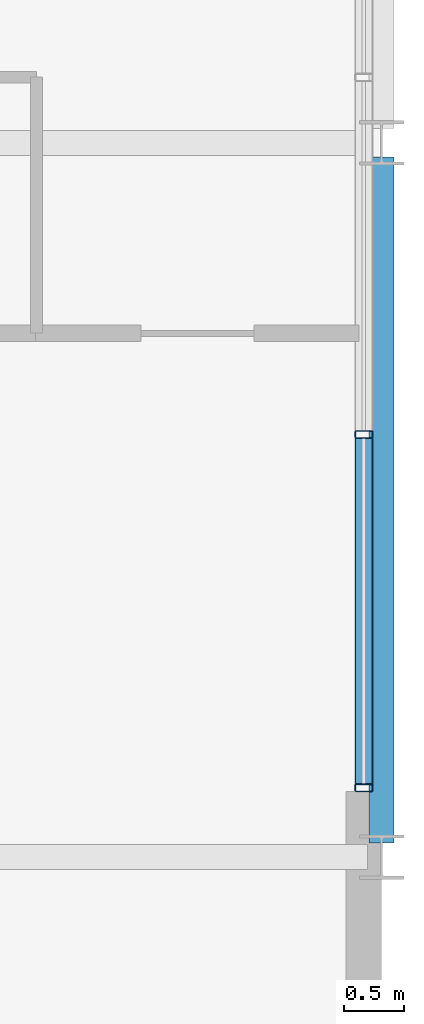
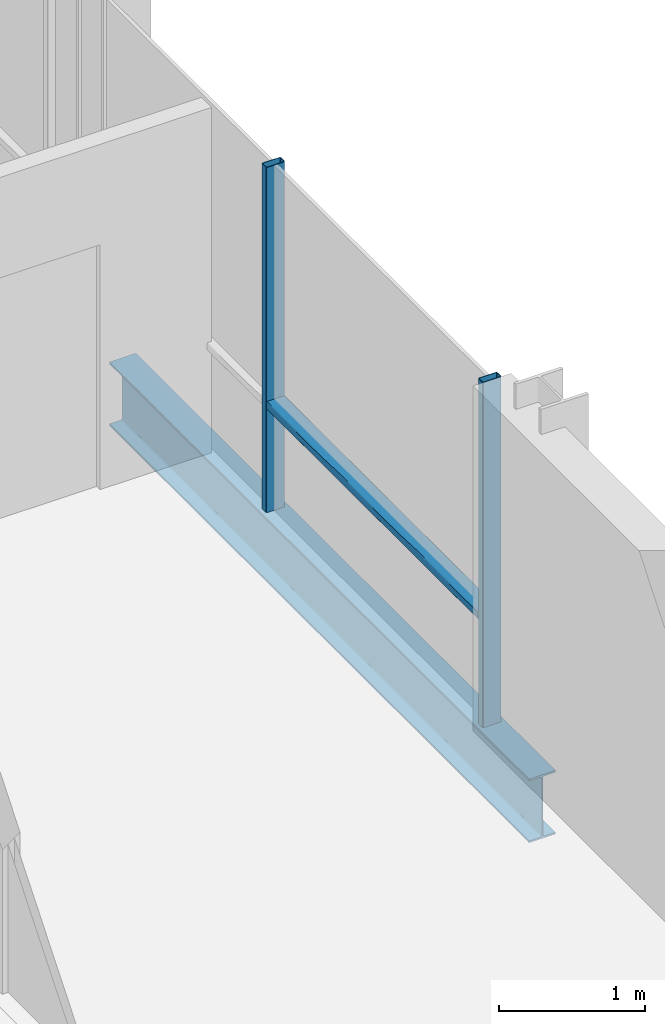
# One storey, part 11 of 29: 3 members, 1 beam, 1 element without a shape of its own.
"""IFC4 building model written with IfcOpenShell, lengths in metres."""

from ifc_helpers import new_model, si_unit, direction, frame, origin, origin_2d, place, context, subcontext, project, spatial, hollow_rectangle, i_section, extrude, material, layer, layer_set, material_profile, profile_set, type_object, element, aggregate, save


model = new_model("IFC4")

# Units and contexts
model_context = context("Model", 3, precision=1e-05, world=origin(), true_north=direction((0.0, 1.0)))
body_context = subcontext(model_context, "Body", "Model", "MODEL_VIEW")
ifc_project = project(units=[si_unit("LENGTHUNIT", "METRE"), si_unit("AREAUNIT", "SQUARE_METRE"), si_unit("VOLUMEUNIT", "CUBIC_METRE"), si_unit("PLANEANGLEUNIT", "RADIAN"), si_unit("MASSUNIT", "GRAM", prefix="KILO")], contexts=[model_context])

# Site, building, storey
site_placement = place(None, origin())
site = spatial("IfcSite", under=ifc_project, at=site_placement, CompositionType="ELEMENT")
building_placement = place(site_placement, origin())
building = spatial("IfcBuilding", under=site, at=building_placement, Name="Brevholm Reach", CompositionType="ELEMENT")
storey_placement = place(building_placement, frame((0.0, 0.0, 201.800048828125)))
storey = spatial("IfcBuildingStorey", under=building, at=storey_placement, Name="L61", CompositionType="ELEMENT", Elevation=201.800048828125)

# Beam
ifc_material_1 = material(Name="Structural Steel S355J2", Category="steel")
ifc_material_profile_1 = material_profile(ifc_material_1, i_section(OverallWidth=0.209228515625, OverallDepth=0.533203125, WebThickness=0.010009765625, FlangeThickness=0.015625, FilletRadius=0.0126953125, at=origin_2d()), Name="UKB 533x210x92")
ifc_profile_set_1 = profile_set([ifc_material_profile_1], Name="Structural Steel S355J2")
beam_type = type_object("IfcBeamType", Name="BM-SP533", PredefinedType="SPANDREL", material=ifc_profile_set_1)
beam_placement = place(storey_placement, frame((60.0, 10.1201171875, -0.4765625), z_axis=(0.0, 1.0, 0.0), x_axis=(-1.0, 0.0, 0.0)))
element("IfcBeam", 1, at=beam_placement, inside=storey, type_object=beam_type, Name="L61 SP-02 Framing Beam", PredefinedType="SPANDREL", context=body_context, shape_type="SweptSolid", body=[
    extrude(i_section(OverallWidth=0.209228515625, OverallDepth=0.533203125, WebThickness=0.010009765625, FlangeThickness=0.015625, FilletRadius=0.0126953125, at=origin_2d()), origin(), (0.0, 0.0, 1.0), 5.759765625),
])

# Curtain wall, members
ifc_material_2 = material(Name="Dark Anodised Aluminium 6063-T6 and Solar-Control Glass", Category="aluminium")
ifc_layer = layer(ifc_material_2, 0.14990234375)
ifc_layer_set = layer_set([ifc_layer], Name="Dark Anodised Aluminium 6063-T6 and Solar-Control Glass")
curtain_wall_type = type_object("IfcCurtainWallType", Name="CW-01", PredefinedType="NOTDEFINED", material=ifc_layer_set)
curtain_wall_placement = place(storey_placement, origin())
curtain_wall = element("IfcCurtainWall", 2, at=curtain_wall_placement, inside=storey, type_object=curtain_wall_type, Name="L61 Curtain Wall CW-01", PredefinedType="NOTDEFINED")
ifc_material_3 = material(Name="Dark Anodised Aluminium 6063-T6", Category="aluminium")
ifc_material_profile_2 = material_profile(ifc_material_3, hollow_rectangle(XDim=0.06494140625, YDim=0.14990234375, WallThickness=0.0048828125, InnerFilletRadius=0.0048828125, OuterFilletRadius=0.010009765625, at=origin_2d()), Name="RHS 150x65x5")
ifc_profile_set_2 = profile_set([ifc_material_profile_2], Name="Dark Anodised Aluminium 6063-T6")
member_type_1 = type_object("IfcMemberType", Name="CWM-150", PredefinedType="MULLION", material=ifc_profile_set_2)
member_1_placement = place(storey_placement, frame((59.85009765625, 10.58251953125, 0.0), z_axis=(0.0, 0.0, 1.0), x_axis=(0.0, 1.0, 0.0)))
member_1 = element("IfcMember", 3, at=member_1_placement, type_object=member_type_1, Name="CM-150 Mullion 1", PredefinedType="MULLION", context=body_context, shape_type="SweptSolid", body=[
    extrude(hollow_rectangle(XDim=0.06494140625, YDim=0.14990234375, WallThickness=0.0048828125, InnerFilletRadius=0.0048828125, OuterFilletRadius=0.010009765625, at=origin_2d()), origin(), (0.0, 0.0, 1.0), 2.889892578125),
])
member_2_placement = place(storey_placement, frame((59.85009765625, 13.550048828125, 0.0), z_axis=(0.0, 0.0, 1.0), x_axis=(0.0, 1.0, 0.0)))
member_2 = element("IfcMember", 4, at=member_2_placement, type_object=member_type_1, Name="CM-150 Mullion 2", PredefinedType="MULLION", context=body_context, shape_type="SweptSolid", body=[
    extrude(hollow_rectangle(XDim=0.06494140625, YDim=0.14990234375, WallThickness=0.0048828125, InnerFilletRadius=0.0048828125, OuterFilletRadius=0.010009765625, at=origin_2d()), origin(), (0.0, 0.0, 1.0), 2.889892578125),
])
ifc_material_4 = material(Name="Dark Anodised Aluminium 6063-T6", Category="aluminium")
ifc_material_profile_3 = material_profile(ifc_material_4, hollow_rectangle(XDim=0.06494140625, YDim=0.14990234375, WallThickness=0.0048828125, InnerFilletRadius=0.0048828125, OuterFilletRadius=0.010009765625, at=origin_2d()), Name="RHS 150x65x5")
ifc_profile_set_3 = profile_set([ifc_material_profile_3], Name="Dark Anodised Aluminium 6063-T6")
member_type_2 = type_object("IfcMemberType", Name="CWT-150", PredefinedType="NOTDEFINED", material=ifc_profile_set_3)
member_3_placement = place(storey_placement, frame((59.85009765625, 10.614990234375, 0.89990234375), z_axis=(0.0, 1.0, 0.0), x_axis=(0.0, 0.0, 1.0)))
member_3 = element("IfcMember", 5, at=member_3_placement, type_object=member_type_2, Name="CT-150 Transom 1.1", ObjectType="TRANSOM", PredefinedType="USERDEFINED", context=body_context, shape_type="SweptSolid", body=[
    extrude(hollow_rectangle(XDim=0.06494140625, YDim=0.14990234375, WallThickness=0.0048828125, InnerFilletRadius=0.0048828125, OuterFilletRadius=0.010009765625, at=origin_2d()), origin(), (0.0, 0.0, 1.0), 2.902587890625),
])
aggregate(curtain_wall, [member_1, member_2, member_3])

save(model, "model.ifc")
